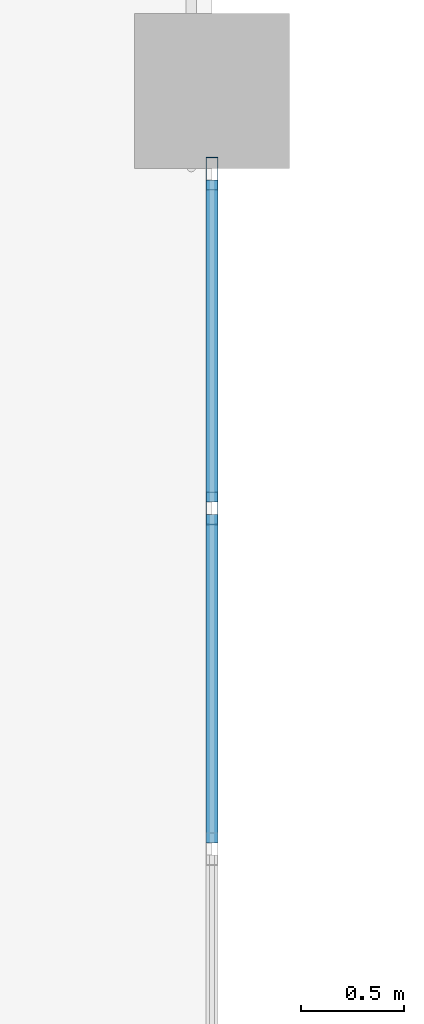
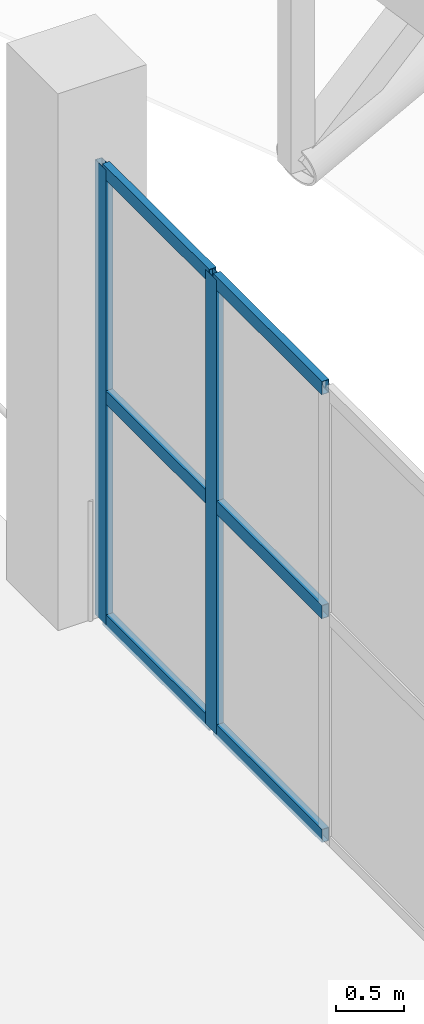
# One storey, part 73 of 167: 8 members, 1 element without a shape of its own.
"""IFC4 building model written with IfcOpenShell, lengths in metres."""

from ifc_helpers import new_model, si_unit, direction, frame, origin, origin_2d, place, context, subcontext, project, spatial, hollow_rectangle, extrude, material, layer, layer_set, material_profile, profile_set, type_object, element, aggregate, save


model = new_model("IFC4")

# Units and contexts
model_context = context("Model", 3, precision=1e-05, world=origin(), true_north=direction((0.0, 1.0)))
body_context = subcontext(model_context, "Body", "Model", "MODEL_VIEW")
ifc_project = project(units=[si_unit("LENGTHUNIT", "METRE"), si_unit("AREAUNIT", "SQUARE_METRE"), si_unit("VOLUMEUNIT", "CUBIC_METRE"), si_unit("PLANEANGLEUNIT", "RADIAN"), si_unit("MASSUNIT", "GRAM", prefix="KILO")], contexts=[model_context])

# Site, building, storey
site_placement = place(None, origin())
site = spatial("IfcSite", under=ifc_project, at=site_placement, CompositionType="ELEMENT")
building_placement = place(site_placement, origin())
building = spatial("IfcBuilding", under=site, at=building_placement, Name="Dornveld Trade and Exhibition Forum", CompositionType="ELEMENT")
storey_placement = place(building_placement, frame((0.0, 0.0, 16.800048828125)))
storey = spatial("IfcBuildingStorey", under=building, at=storey_placement, Name="L03", CompositionType="ELEMENT", Elevation=16.800048828125)

# Curtain wall, members
ifc_material_1 = material(Name="Dark-bronze anodised aluminium and low-E glass", Category="aluminium")
ifc_layer = layer(ifc_material_1, 0.175048828125)
ifc_layer_set = layer_set([ifc_layer], Name="Dark-bronze anodised aluminium and low-E glass")
curtain_wall_type = type_object("IfcCurtainWallType", Name="CW-SYS-11", PredefinedType="USERDEFINED", material=ifc_layer_set)
curtain_wall_placement = place(storey_placement, origin())
curtain_wall = element("IfcCurtainWall", 1, at=curtain_wall_placement, inside=storey, type_object=curtain_wall_type, Name="L03 unitised curtain wall 65", ObjectType="UNITISED_CURTAIN_WALL", PredefinedType="USERDEFINED")
ifc_material_2 = material(Name="Dark-bronze anodised aluminium", Category="aluminium")
ifc_material_profile_1 = material_profile(ifc_material_2, hollow_rectangle(XDim=0.06005859375, YDim=0.159912109375, WallThickness=0.00390625, at=origin_2d()), Name="RHS 160x60x4")
ifc_profile_set_1 = profile_set([ifc_material_profile_1], Name="Dark-bronze anodised aluminium")
member_type_1 = type_object("IfcMemberType", Name="CW-MUL-160", PredefinedType="MULLION", material=ifc_profile_set_1)
member_1_placement = place(storey_placement, frame((153.0, 87.977294921875, -0.004150390625), z_axis=(0.0, 0.0, 1.0), x_axis=(-1.0, 0.0, 0.0)))
member_1 = element("IfcMember", 2, at=member_1_placement, type_object=member_type_1, Name="CW-11 mullion 5", PredefinedType="MULLION", context=body_context, shape_type="SweptSolid", body=[
    extrude(hollow_rectangle(XDim=0.06005859375, YDim=0.159912109375, WallThickness=0.00390625, at=origin_2d()), origin(), (0.0, 0.0, 1.0), 4.064208984375),
])
member_2_placement = place(storey_placement, frame((153.0, 89.59912109375, -0.004150390625), z_axis=(0.0, 0.0, 1.0), x_axis=(-1.0, 0.0, 0.0)))
member_2 = element("IfcMember", 3, at=member_2_placement, type_object=member_type_1, Name="CW-11 mullion 6", PredefinedType="MULLION", context=body_context, shape_type="SweptSolid", body=[
    extrude(hollow_rectangle(XDim=0.06005859375, YDim=0.159912109375, WallThickness=0.00390625, at=origin_2d()), origin(), (0.0, 0.0, 1.0), 4.064208984375),
])
ifc_material_3 = material(Name="Dark-bronze anodised aluminium", Category="aluminium")
ifc_material_profile_2 = material_profile(ifc_material_3, hollow_rectangle(XDim=0.06005859375, YDim=0.1201171875, WallThickness=0.00390625, at=origin_2d()), Name="RHS 120x60x4")
ifc_profile_set_2 = profile_set([ifc_material_profile_2], Name="Dark-bronze anodised aluminium")
member_type_2 = type_object("IfcMemberType", Name="CW-TRN-120", PredefinedType="USERDEFINED", material=ifc_profile_set_2)
member_3_placement = place(storey_placement, frame((153.0, 86.355712890625, 0.02587890625), z_axis=(0.0, 1.0, 0.0), x_axis=(-1.0, 0.0, 0.0)))
member_3 = element("IfcMember", 4, at=member_3_placement, type_object=member_type_2, Name="CW-11 transom 4.1", ObjectType="TRANSOM", PredefinedType="USERDEFINED", context=body_context, shape_type="SweptSolid", body=[
    extrude(hollow_rectangle(XDim=0.06005859375, YDim=0.1201171875, WallThickness=0.00390625, at=origin_2d()), origin(), (0.0, 0.0, 1.0), 1.591796875),
])
member_4_placement = place(storey_placement, frame((153.0, 86.355712890625, 2.02783203125), z_axis=(0.0, 1.0, 0.0), x_axis=(-1.0, 0.0, 0.0)))
member_4 = element("IfcMember", 5, at=member_4_placement, type_object=member_type_2, Name="CW-11 transom 4.2", ObjectType="TRANSOM", PredefinedType="USERDEFINED", context=body_context, shape_type="SweptSolid", body=[
    extrude(hollow_rectangle(XDim=0.06005859375, YDim=0.1201171875, WallThickness=0.00390625, at=origin_2d()), origin(), (0.0, 0.0, 1.0), 1.591796875),
])
member_5_placement = place(storey_placement, frame((153.0, 86.355712890625, 4.030029296875), z_axis=(0.0, 1.0, 0.0), x_axis=(-1.0, 0.0, 0.0)))
member_5 = element("IfcMember", 6, at=member_5_placement, type_object=member_type_2, Name="CW-11 transom 4.3", ObjectType="TRANSOM", PredefinedType="USERDEFINED", context=body_context, shape_type="SweptSolid", body=[
    extrude(hollow_rectangle(XDim=0.06005859375, YDim=0.1201171875, WallThickness=0.00390625, at=origin_2d()), origin(), (0.0, 0.0, 1.0), 1.591796875),
])
member_6_placement = place(storey_placement, frame((153.0, 88.00732421875, 0.02587890625), z_axis=(0.0, 1.0, 0.0), x_axis=(-1.0, 0.0, 0.0)))
member_6 = element("IfcMember", 7, at=member_6_placement, type_object=member_type_2, Name="CW-11 transom 5.1", ObjectType="TRANSOM", PredefinedType="USERDEFINED", context=body_context, shape_type="SweptSolid", body=[
    extrude(hollow_rectangle(XDim=0.06005859375, YDim=0.1201171875, WallThickness=0.00390625, at=origin_2d()), origin(), (0.0, 0.0, 1.0), 1.561767578125),
])
member_7_placement = place(storey_placement, frame((153.0, 88.00732421875, 2.02783203125), z_axis=(0.0, 1.0, 0.0), x_axis=(-1.0, 0.0, 0.0)))
member_7 = element("IfcMember", 8, at=member_7_placement, type_object=member_type_2, Name="CW-11 transom 5.2", ObjectType="TRANSOM", PredefinedType="USERDEFINED", context=body_context, shape_type="SweptSolid", body=[
    extrude(hollow_rectangle(XDim=0.06005859375, YDim=0.1201171875, WallThickness=0.00390625, at=origin_2d()), origin(), (0.0, 0.0, 1.0), 1.561767578125),
])
member_8_placement = place(storey_placement, frame((153.0, 88.00732421875, 4.030029296875), z_axis=(0.0, 1.0, 0.0), x_axis=(-1.0, 0.0, 0.0)))
member_8 = element("IfcMember", 9, at=member_8_placement, type_object=member_type_2, Name="CW-11 transom 5.3", ObjectType="TRANSOM", PredefinedType="USERDEFINED", context=body_context, shape_type="SweptSolid", body=[
    extrude(hollow_rectangle(XDim=0.06005859375, YDim=0.1201171875, WallThickness=0.00390625, at=origin_2d()), origin(), (0.0, 0.0, 1.0), 1.561767578125),
])
aggregate(curtain_wall, [member_1, member_2, member_3, member_4, member_5, member_6, member_7, member_8])

save(model, "model.ifc")
